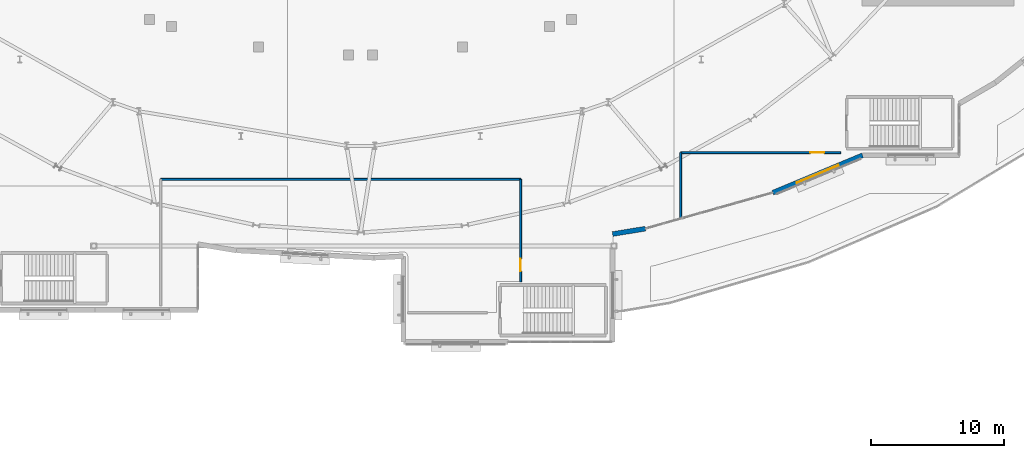
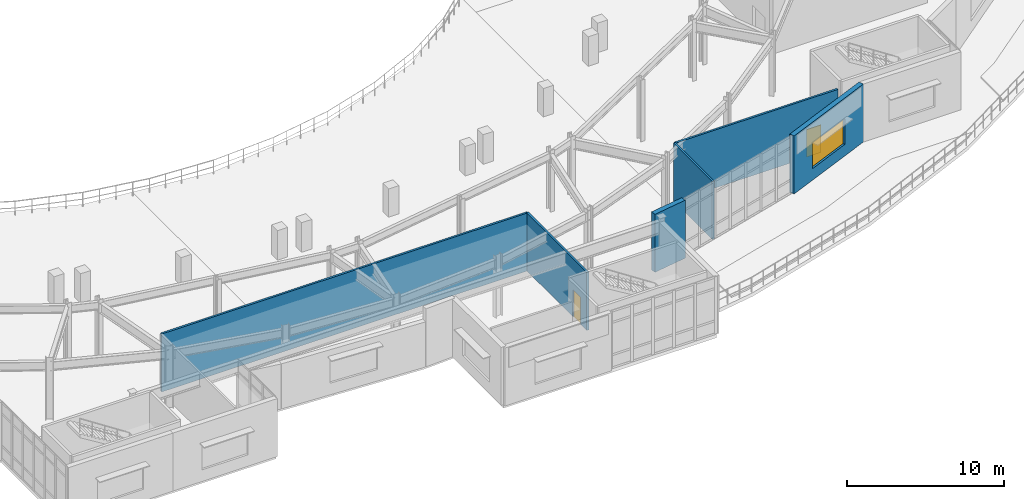
# One storey, part 59 of 84: 6 walls, 2 doors, 1 window, 3 openings.
"""IFC4 building model written with IfcOpenShell, lengths in metres."""

from ifc_helpers import new_model, si_unit, direction, frame, frame_2d, origin, place, context, subcontext, project, spatial, rectangle, extrude, material, layer, layer_set, type_object, element, fill, save


model = new_model("IFC4")

# Units and contexts
model_context = context("Model", 3, precision=1e-05, world=origin(), true_north=direction((0.0, 1.0)))
body_context = subcontext(model_context, "Body", "Model", "MODEL_VIEW")
ifc_project = project(units=[si_unit("LENGTHUNIT", "METRE"), si_unit("AREAUNIT", "SQUARE_METRE"), si_unit("VOLUMEUNIT", "CUBIC_METRE"), si_unit("PLANEANGLEUNIT", "RADIAN"), si_unit("MASSUNIT", "GRAM", prefix="KILO")], contexts=[model_context])

# Site, building, storey
site_placement = place(None, origin())
site = spatial("IfcSite", under=ifc_project, at=site_placement, CompositionType="ELEMENT")
building_placement = place(site_placement, origin())
building = spatial("IfcBuilding", under=site, at=building_placement, Name="Glasvene Arena", CompositionType="ELEMENT")
storey_placement = place(building_placement, frame((0.0, 0.0, 10.199951171875)))
storey = spatial("IfcBuildingStorey", under=building, at=storey_placement, Name="L02", CompositionType="ELEMENT", Elevation=10.199951171875)

# Wall, opening, window
ifc_material_1 = material(Name="Coursed pale Irish limestone", Category="masonry")
ifc_layer_1 = layer(ifc_material_1, 0.360107421875)
ifc_layer_set_1 = layer_set([ifc_layer_1], Name="Coursed pale Irish limestone")
wall_type_1 = type_object("IfcWallType", Name="WL-EXT-LIM-360", PredefinedType="STANDARD", material=ifc_layer_set_1)
wall_1_placement = place(storey_placement, frame((129.63916015625, 33.800048828125, 0.0), z_axis=(0.0, 0.0, 1.0), x_axis=(-0.922800990267, -0.385276955399, 0.0)))
wall_1 = element("IfcWall", 1, at=wall_1_placement, inside=storey, type_object=wall_type_1, Name="External facade wall EW-L02-0153", PredefinedType="STANDARD", context=body_context, shape_type="SweptSolid", body=[
    extrude(rectangle(XDim=7.283447265625, YDim=0.360107421875, at=frame_2d((3.6416015625, 0.0))), origin(), (0.0, 0.0, 1.0), 4.52001953125),
])
opening_1_placement = place(wall_1_placement, frame((1.94189453125, 0.0, 0.89990234375)))
opening_1 = element("IfcOpeningElement", 2, at=opening_1_placement, cuts=wall_1, Name="Opening W-06", PredefinedType="OPENING", context=body_context, shape_type="SweptSolid", body=[
    extrude(rectangle(XDim=3.39990234375, YDim=2.0, at=frame_2d((1.699951171875, 1.0))), frame((0.0, 0.18994140625, 0.0), z_axis=(0.0, -1.0, 0.0), x_axis=(1.0, 0.0, 0.0)), (0.0, 0.0, 1.0), 0.380126953125),
])
ifc_material_2 = material(Name="Low-emissivity laminated double glazing", Category="glass")
window_type = type_object("IfcWindowType", Name="WN-CLUB-340x200", PartitioningType="TRIPLE_PANEL_VERTICAL", PredefinedType="WINDOW", material=ifc_material_2)
window_placement = place(opening_1_placement, origin())
window = element("IfcWindow", 3, at=window_placement, inside=storey, type_object=window_type, Name="Facade window WN-CLUB-340x200 L02-0091", OverallHeight=2.0, OverallWidth=3.39990234375, PartitioningType="SINGLE_PANEL", PredefinedType="WINDOW", context=body_context, shape_type="SweptSolid", body=[
    extrude(rectangle(XDim=3.39990234375, YDim=2.0, at=frame_2d((1.699951171875, 1.0))), frame((0.0, 0.030029296875, 0.0), z_axis=(0.0, -1.0, 0.0), x_axis=(1.0, 0.0, 0.0)), (0.0, 0.0, 1.0), 0.06005859375),
])
fill(opening_1, window)

# Walls
wall_2_placement = place(storey_placement, frame((113.3642578125, 28.297607421875, 0.0), z_axis=(0.0, 0.0, 1.0), x_axis=(-0.986886195598, -0.161417585589, 0.0)))
element("IfcWall", 4, at=wall_2_placement, inside=storey, type_object=wall_type_1, Name="External facade wall EW-L02-0154", PredefinedType="STANDARD", context=body_context, shape_type="SweptSolid", body=[
    extrude(rectangle(XDim=2.4970703125, YDim=0.360107421875, at=frame_2d((1.24853515625, 0.0))), origin(), (0.0, 0.0, 1.0), 4.52001953125),
])
ifc_material_3 = material(Name="Insulated acoustic metal-stud partition")
ifc_layer_2 = layer(ifc_material_3, 0.14990234375)
ifc_layer_set_2 = layer_set([ifc_layer_2], Name="Insulated acoustic metal-stud partition")
wall_type_2 = type_object("IfcWallType", Name="WL-PART-150", PredefinedType="PARTITIONING", material=ifc_layer_set_2)
wall_3_placement = place(storey_placement, frame((77.0, 32.0, 0.0), z_axis=(0.0, 0.0, 1.0), x_axis=(1.0, 0.0, 0.0)))
element("IfcWall", 5, at=wall_3_placement, inside=storey, type_object=wall_type_2, Name="Interior partition wall IW-L02-0208 (Prairie Club Lounge South)", PredefinedType="PARTITIONING", context=body_context, shape_type="SweptSolid", body=[
    extrude(rectangle(XDim=27.0, YDim=0.14990234375, at=frame_2d((13.5, 0.0))), origin(), (0.0, 0.0, 1.0), 4.52001953125),
])

# Wall, opening, door
wall_4_placement = place(storey_placement, frame((104.0, 32.0, 0.0), z_axis=(0.0, 0.0, 1.0), x_axis=(0.0, -1.0, 0.0)))
wall_4 = element("IfcWall", 6, at=wall_4_placement, inside=storey, type_object=wall_type_2, Name="Interior partition wall IW-L02-0209 (Prairie Club Lounge South)", PredefinedType="PARTITIONING", context=body_context, shape_type="SweptSolid", body=[
    extrude(rectangle(XDim=7.699951171875, YDim=0.14990234375, at=frame_2d((3.85009765625, 0.0))), origin(), (0.0, 0.0, 1.0), 4.52001953125),
])
opening_2_placement = place(wall_4_placement, frame((5.9580078125, 0.0, 0.0)))
opening_2 = element("IfcOpeningElement", 7, at=opening_2_placement, cuts=wall_4, Name="Opening D-07", PredefinedType="OPENING", context=body_context, shape_type="SweptSolid", body=[
    extrude(rectangle(XDim=0.949951171875, YDim=2.10009765625, at=frame_2d((0.47509765625, 1.050048828125))), frame((0.0, 0.0849609375, 0.0), z_axis=(0.0, -1.0, 0.0), x_axis=(1.0, 0.0, 0.0)), (0.0, 0.0, 1.0), 0.169921875),
])
ifc_material_4 = material(Name="European oak fire-resisting timber", Category="wood")
door_type_1 = type_object("IfcDoorType", Name="DR-FD30-950", OperationType="NOTDEFINED", PredefinedType="DOOR", material=ifc_material_4)
door_1_placement = place(opening_2_placement, origin())
door_1 = element("IfcDoor", 8, at=door_1_placement, inside=storey, type_object=door_type_1, Name="Interior door DR-FD30-950 (Prairie Club Lounge South)", OperationType="SINGLE_SWING_RIGHT", OverallHeight=2.10009765625, OverallWidth=0.949951171875, PredefinedType="DOOR", context=body_context, shape_type="SweptSolid", body=[
    extrude(rectangle(XDim=0.949951171875, YDim=2.10009765625, at=frame_2d((0.47509765625, 1.050048828125))), frame((0.0, 0.02490234375, 0.0), z_axis=(0.0, -1.0, 0.0), x_axis=(1.0, 0.0, 0.0)), (0.0, 0.0, 1.0), 0.050048828125),
])
fill(opening_2, door_1)

# Wall
wall_5_placement = place(storey_placement, frame((116.0, 29.0615234375, 0.0), z_axis=(0.0, 0.0, 1.0), x_axis=(0.0, 1.0, 0.0)))
element("IfcWall", 9, at=wall_5_placement, inside=storey, type_object=wall_type_2, Name="Interior partition wall IW-L02-0215 (Hospitality Finishing Kitchen)", PredefinedType="PARTITIONING", context=body_context, shape_type="SweptSolid", body=[
    extrude(rectangle(XDim=4.9384765625, YDim=0.14990234375, at=frame_2d((2.46923828125, 0.0))), origin(), (0.0, 0.0, 1.0), 4.52001953125),
])

# Wall, opening, door
wall_6_placement = place(storey_placement, frame((116.0, 34.0, 0.0), z_axis=(0.0, 0.0, 1.0), x_axis=(1.0, 0.0, 0.0)))
wall_6 = element("IfcWall", 10, at=wall_6_placement, inside=storey, type_object=wall_type_2, Name="Interior partition wall IW-L02-0216 (Hospitality Finishing Kitchen)", PredefinedType="PARTITIONING", context=body_context, shape_type="SweptSolid", body=[
    extrude(rectangle(XDim=12.0, YDim=0.14990234375, at=frame_2d((6.0, 0.0))), origin(), (0.0, 0.0, 1.0), 4.52001953125),
])
opening_3_placement = place(wall_6_placement, frame((9.72509765625, 0.0, 0.0)))
opening_3 = element("IfcOpeningElement", 11, at=opening_3_placement, cuts=wall_6, Name="Opening D-05", PredefinedType="OPENING", context=body_context, shape_type="SweptSolid", body=[
    extrude(rectangle(XDim=1.050048828125, YDim=2.14990234375, at=frame_2d((0.52490234375, 1.074951171875))), frame((0.0, 0.0849609375, 0.0), z_axis=(0.0, -1.0, 0.0), x_axis=(1.0, 0.0, 0.0)), (0.0, 0.0, 1.0), 0.169921875),
])
ifc_material_5 = material(Name="Painted fire-resisting steel", Category="steel")
door_type_2 = type_object("IfcDoorType", Name="DR-FD60-1050", OperationType="NOTDEFINED", PredefinedType="DOOR", material=ifc_material_5)
door_2_placement = place(opening_3_placement, origin())
door_2 = element("IfcDoor", 12, at=door_2_placement, inside=storey, type_object=door_type_2, Name="Interior door DR-FD60-1050 (Hospitality Finishing Kitchen)", OperationType="SINGLE_SWING_RIGHT", OverallHeight=2.14990234375, OverallWidth=1.050048828125, PredefinedType="DOOR", context=body_context, shape_type="SweptSolid", body=[
    extrude(rectangle(XDim=1.050048828125, YDim=2.14990234375, at=frame_2d((0.52490234375, 1.074951171875))), frame((0.0, 0.02490234375, 0.0), z_axis=(0.0, -1.0, 0.0), x_axis=(1.0, 0.0, 0.0)), (0.0, 0.0, 1.0), 0.050048828125),
])
fill(opening_3, door_2)

save(model, "model.ifc")
